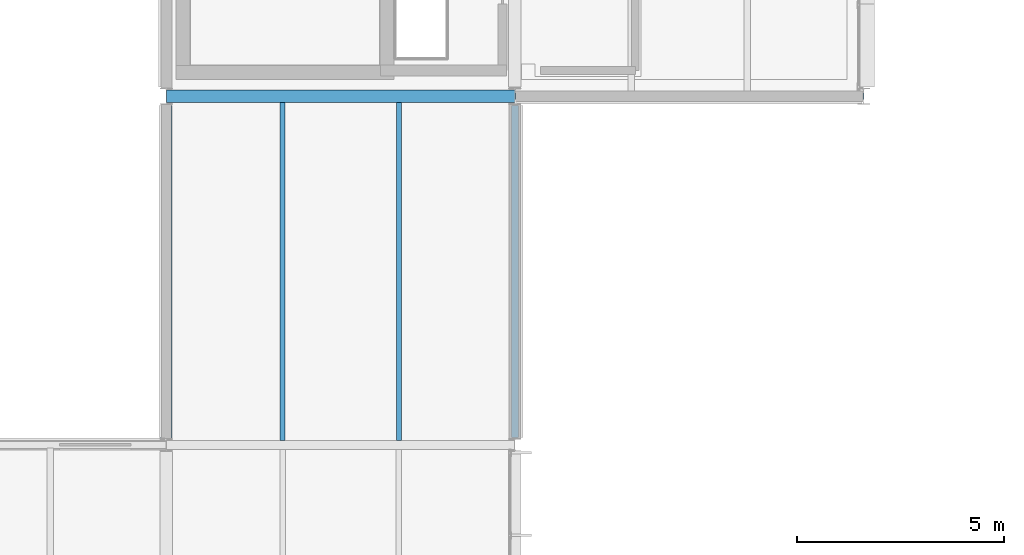
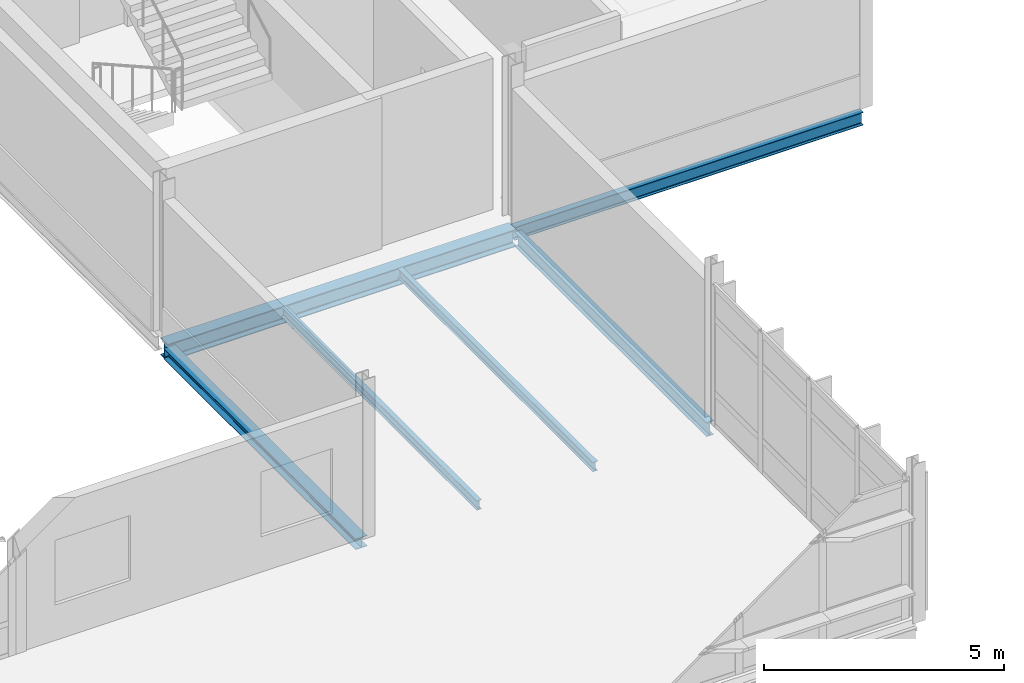
# One storey, part 23 of 103: 6 beams.
"""IFC4 building model written with IfcOpenShell, lengths in metres."""

from ifc_helpers import new_model, si_unit, direction, frame, origin, origin_2d, place, context, subcontext, project, spatial, i_section, extrude, material, material_profile, profile_set, type_object, element, save


model = new_model("IFC4")

# Units and contexts
model_context = context("Model", 3, precision=1e-05, world=origin(), true_north=direction((0.0, 1.0)))
body_context = subcontext(model_context, "Body", "Model", "MODEL_VIEW")
ifc_project = project(units=[si_unit("LENGTHUNIT", "METRE"), si_unit("AREAUNIT", "SQUARE_METRE"), si_unit("VOLUMEUNIT", "CUBIC_METRE"), si_unit("PLANEANGLEUNIT", "RADIAN"), si_unit("MASSUNIT", "GRAM", prefix="KILO")], contexts=[model_context])

# Site, building, storey
site_placement = place(None, origin())
site = spatial("IfcSite", under=ifc_project, at=site_placement, CompositionType="ELEMENT")
building_placement = place(site_placement, origin())
building = spatial("IfcBuilding", under=site, at=building_placement, Name="Mersafa Astral City Hall", CompositionType="ELEMENT")
storey_placement = place(building_placement, frame((0.0, 0.0, 18.0)))
storey = spatial("IfcBuildingStorey", under=building, at=storey_placement, Name="L04", CompositionType="ELEMENT", Elevation=18.0)

# Beams
ifc_material = material(Name="Steel S355", Category="steel")
ifc_material_profile_1 = material_profile(ifc_material, i_section(OverallWidth=0.300048828125, OverallDepth=0.43994140625, WebThickness=0.011474609375, FlangeThickness=0.02099609375, FilletRadius=0.027099609375, at=origin_2d()), Name="HEA 450")
ifc_profile_set_1 = profile_set([ifc_material_profile_1], Name="Steel S355")
beam_type_1 = type_object("IfcBeamType", Name="STR-BM-HEA450", PredefinedType="BEAM", material=ifc_profile_set_1)
beam_1_placement = place(storey_placement, frame((42.0029296875, 109.199951171875, -0.405029296875), z_axis=(1.0, 0.0, 0.0), x_axis=(0.0, 1.0, 0.0)))
element("IfcBeam", 1, at=beam_1_placement, inside=storey, type_object=beam_type_1, Name="L04 Primary girder X 5-13", PredefinedType="BEAM", context=body_context, shape_type="SweptSolid", body=[
    extrude(i_section(OverallWidth=0.300048828125, OverallDepth=0.43994140625, WebThickness=0.011474609375, FlangeThickness=0.02099609375, FilletRadius=0.027099609375, at=origin_2d()), origin(), (0.0, 0.0, 1.0), 8.39404296875),
])
ifc_material_profile_2 = material_profile(ifc_material, i_section(OverallWidth=0.1201171875, OverallDepth=0.239990234375, WebThickness=0.006103515625, FlangeThickness=0.009765625, FilletRadius=0.014892578125, at=origin_2d()), Name="IPE 240")
ifc_profile_set_2 = profile_set([ifc_material_profile_2], Name="Steel S355")
beam_type_2 = type_object("IfcBeamType", Name="STR-BM-JOIST-IPE240", PredefinedType="JOIST", material=ifc_profile_set_2)
for number, where, z_axis, x_axis, name in (
    (2, (44.800048828125, 100.905029296875, -0.304931640625), (0.0, 1.0, 0.0), (-1.0, 0.0, 0.0), "L04 Composite secondary floor joist 696"),
    (3, (47.60009765625, 100.905029296875, -0.304931640625), (0.0, 1.0, 0.0), (-1.0, 0.0, 0.0), "L04 Composite secondary floor joist 697"),
):
    element("IfcBeam", number, at=place(storey_placement, frame(where, z_axis=z_axis, x_axis=x_axis)), inside=storey, type_object=beam_type_2, Name=name, PredefinedType="JOIST", context=body_context, shape_type="SweptSolid", body=[
        extrude(i_section(OverallWidth=0.1201171875, OverallDepth=0.239990234375, WebThickness=0.006103515625, FlangeThickness=0.009765625, FilletRadius=0.014892578125, at=origin_2d()), origin(), (0.0, 0.0, 1.0), 8.14990234375),
    ])
ifc_material_profile_3 = material_profile(ifc_material, i_section(OverallWidth=0.280029296875, OverallDepth=0.27001953125, WebThickness=0.008056640625, FlangeThickness=0.012939453125, FilletRadius=0.02392578125, at=origin_2d()), Name="HEA 280")
ifc_profile_set_3 = profile_set([ifc_material_profile_3], Name="Steel S355")
beam_type_3 = type_object("IfcBeamType", Name="STR-BM-SPANDREL-HEA280", PredefinedType="SPANDREL", material=ifc_profile_set_3)
beam_2_placement = place(storey_placement, frame((42.0, 100.965087890625, -0.320068359375), z_axis=(0.0, 1.0, 0.0), x_axis=(-1.0, 0.0, 0.0)))
element("IfcBeam", 4, at=beam_2_placement, inside=storey, type_object=beam_type_3, Name="L04 Primary girder Y 5-12", PredefinedType="SPANDREL", context=body_context, shape_type="SweptSolid", body=[
    extrude(i_section(OverallWidth=0.280029296875, OverallDepth=0.27001953125, WebThickness=0.008056640625, FlangeThickness=0.012939453125, FilletRadius=0.02392578125, at=origin_2d()), origin(), (0.0, 0.0, 1.0), 8.014892578125),
])
ifc_material_profile_4 = material_profile(ifc_material, i_section(OverallWidth=0.159912109375, OverallDepth=0.330078125, WebThickness=0.007568359375, FlangeThickness=0.011474609375, FilletRadius=0.01806640625, at=origin_2d()), Name="IPE 330")
ifc_profile_set_4 = profile_set([ifc_material_profile_4], Name="Steel S355")
beam_type_4 = type_object("IfcBeamType", Name="STR-BM-SPANDREL-IPE330", PredefinedType="SPANDREL", material=ifc_profile_set_4)
beam_3_placement = place(storey_placement, frame((50.403076171875, 109.199951171875, -0.35009765625), z_axis=(1.0, 0.0, 0.0), x_axis=(0.0, 1.0, 0.0)))
element("IfcBeam", 5, at=beam_3_placement, inside=storey, type_object=beam_type_4, Name="L04 Primary girder X 6-13", PredefinedType="SPANDREL", context=body_context, shape_type="SweptSolid", body=[
    extrude(i_section(OverallWidth=0.159912109375, OverallDepth=0.330078125, WebThickness=0.007568359375, FlangeThickness=0.011474609375, FilletRadius=0.01806640625, at=origin_2d()), origin(), (0.0, 0.0, 1.0), 8.39404296875),
])
ifc_material_profile_5 = material_profile(ifc_material, i_section(OverallWidth=0.169921875, OverallDepth=0.360107421875, WebThickness=0.008056640625, FlangeThickness=0.0126953125, FilletRadius=0.01806640625, at=origin_2d()), Name="IPE 360")
ifc_profile_set_5 = profile_set([ifc_material_profile_5], Name="Steel S355")
beam_type_5 = type_object("IfcBeamType", Name="STR-BM-SPANDREL-IPE360", PredefinedType="SPANDREL", material=ifc_profile_set_5)
beam_4_placement = place(storey_placement, frame((50.39990234375, 100.97509765625, -0.364990234375), z_axis=(0.0, 1.0, 0.0), x_axis=(-1.0, 0.0, 0.0)))
element("IfcBeam", 6, at=beam_4_placement, inside=storey, type_object=beam_type_5, Name="L04 Primary girder Y 6-12", PredefinedType="SPANDREL", context=body_context, shape_type="SweptSolid", body=[
    extrude(i_section(OverallWidth=0.169921875, OverallDepth=0.360107421875, WebThickness=0.008056640625, FlangeThickness=0.0126953125, FilletRadius=0.01806640625, at=origin_2d()), origin(), (0.0, 0.0, 1.0), 8.0048828125),
])

save(model, "model.ifc")
